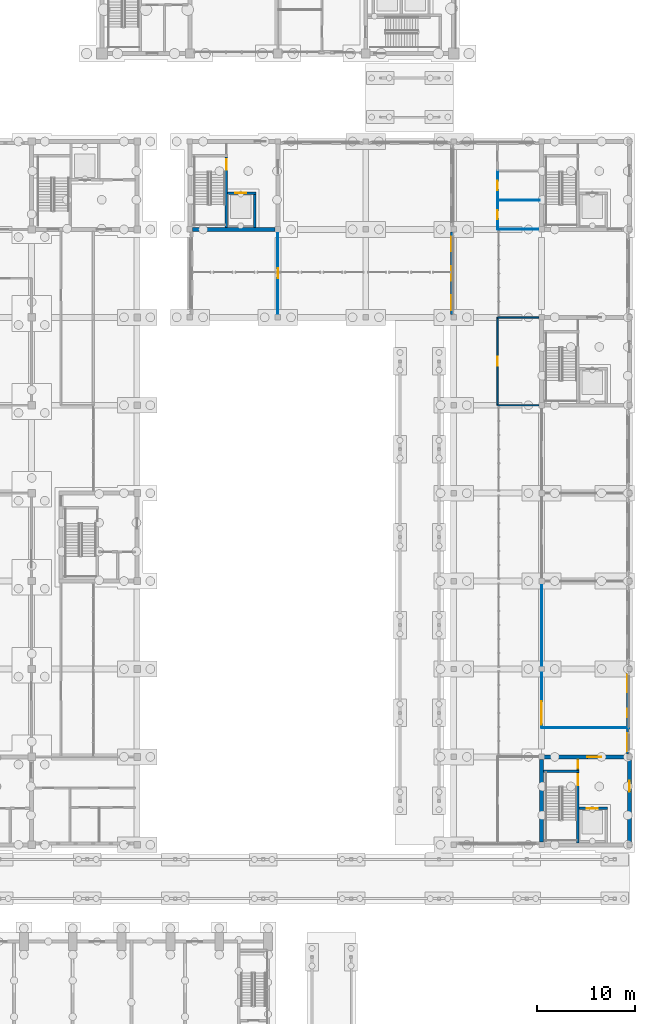
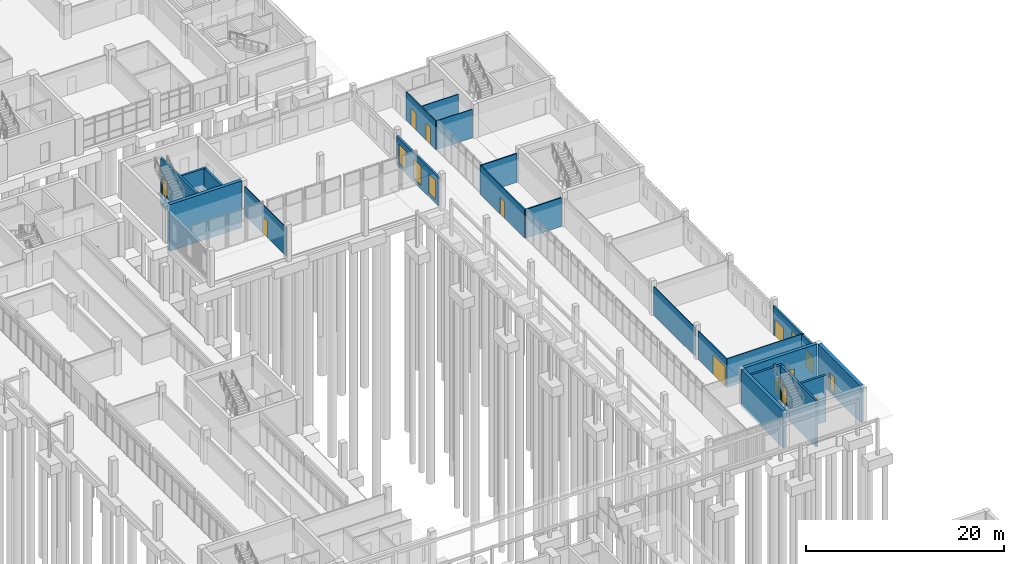
# One storey, part 74 of 106: 24 walls, 14 doors, 4 windows, 18 openings.
"""IFC4 building model written with IfcOpenShell, lengths in metres."""

from ifc_helpers import new_model, si_unit, direction, frame, frame_2d, origin, place, context, subcontext, project, spatial, rectangle, extrude, material, layer, layer_set, type_object, element, fill, save


model = new_model("IFC4")

# Units and contexts
model_context = context("Model", 3, precision=1e-05, world=origin(), true_north=direction((0.0, 1.0)))
body_context = subcontext(model_context, "Body", "Model", "MODEL_VIEW")
ifc_project = project(units=[si_unit("LENGTHUNIT", "METRE"), si_unit("AREAUNIT", "SQUARE_METRE"), si_unit("VOLUMEUNIT", "CUBIC_METRE"), si_unit("PLANEANGLEUNIT", "RADIAN"), si_unit("MASSUNIT", "GRAM", prefix="KILO")], contexts=[model_context])

# Site, building, storey
site_placement = place(None, origin())
site = spatial("IfcSite", under=ifc_project, at=site_placement, CompositionType="ELEMENT")
building_placement = place(site_placement, origin())
building = spatial("IfcBuilding", under=site, at=building_placement, Name="Merrow Basin Faculty of Sciences", CompositionType="ELEMENT")
storey_placement = place(building_placement, origin())
storey = spatial("IfcBuildingStorey", under=building, at=storey_placement, Name="L00", CompositionType="ELEMENT", Elevation=0.0)

# Wall, opening, door
ifc_material_1 = material(Name="Precast concrete C40/50", Category="concrete")
ifc_layer_1 = layer(ifc_material_1, 0.215087890625)
ifc_layer_set_1 = layer_set([ifc_layer_1], Name="External infill wall 215 Precast concrete C40/50")
wall_type_1 = type_object("IfcWallType", Name="External infill wall 215 Precast concrete C40/50", PredefinedType="STANDARD", material=ifc_layer_set_1)
wall_1_placement = place(storey_placement, frame((71.80810546875, 72.949951171875, 0.0), z_axis=(0.0, 0.0, 1.0), x_axis=(0.0, -1.0, 0.0)))
wall_1 = element("IfcWall", 1, at=wall_1_placement, inside=storey, type_object=wall_type_1, Name="E external wall 1", PredefinedType="STANDARD", context=body_context, shape_type="SweptSolid", body=[
    extrude(rectangle(XDim=2.675048828125, YDim=0.215087890625, at=frame_2d((1.33740234375, 0.0))), origin(), (0.0, 0.0, 1.0), 3.550048828125),
])
opening_1_placement = place(wall_1_placement, frame((0.550048828125, 0.0, 0.0)))
opening_1 = element("IfcOpeningElement", 2, at=opening_1_placement, cuts=wall_1, Name="Opening D00C026", PredefinedType="OPENING", context=body_context, shape_type="SweptSolid", body=[
    extrude(rectangle(XDim=1.800048828125, YDim=2.10009765625, at=frame_2d((0.89990234375, 1.050048828125))), frame((0.0, 0.117431640625, 0.0), z_axis=(0.0, -1.0, 0.0), x_axis=(1.0, 0.0, 0.0)), (0.0, 0.0, 1.0), 0.235107421875),
])
ifc_material_2 = material(Name="Glazed aluminium door", Category="aluminium")
door_type_1 = type_object("IfcDoorType", Name="Double swing door 1800 x 2100", OperationType="NOTDEFINED", PredefinedType="DOOR", material=ifc_material_2)
door_1_placement = place(opening_1_placement, origin())
door_1 = element("IfcDoor", 3, at=door_1_placement, inside=storey, type_object=door_type_1, Name="E entrance door", OperationType="DOUBLE_DOOR_SINGLE_SWING", OverallHeight=2.10009765625, OverallWidth=1.800048828125, PredefinedType="DOOR", context=body_context, shape_type="SweptSolid", body=[
    extrude(rectangle(XDim=1.800048828125, YDim=2.10009765625, at=frame_2d((0.89990234375, 1.050048828125))), frame((0.0, 0.02490234375, 0.0), z_axis=(0.0, -1.0, 0.0), x_axis=(1.0, 0.0, 0.0)), (0.0, 0.0, 1.0), 0.050048828125),
])
fill(opening_1, door_1)

# Wall, openings, window, door
wall_2_placement = place(storey_placement, frame((71.80810546875, 78.72509765625, 0.0), z_axis=(0.0, 0.0, 1.0), x_axis=(0.0, -1.0, 0.0)))
wall_2 = element("IfcWall", 4, at=wall_2_placement, inside=storey, type_object=wall_type_1, Name="E external wall 2", PredefinedType="STANDARD", context=body_context, shape_type="SweptSolid", body=[
    extrude(rectangle(XDim=5.675048828125, YDim=0.215087890625, at=frame_2d((2.83740234375, 0.0))), origin(), (0.0, 0.0, 1.0), 3.550048828125),
])
opening_2_placement = place(wall_2_placement, frame((3.77490234375, 0.0, 1.199951171875)))
opening_2 = element("IfcOpeningElement", 5, at=opening_2_placement, cuts=wall_2, Name="Opening WN16", PredefinedType="OPENING", context=body_context, shape_type="SweptSolid", body=[
    extrude(rectangle(XDim=0.89990234375, YDim=1.5, at=frame_2d((0.449951171875, 0.75))), frame((0.0, 0.117431640625, 0.0), z_axis=(0.0, -1.0, 0.0), x_axis=(1.0, 0.0, 0.0)), (0.0, 0.0, 1.0), 0.235107421875),
])
opening_3_placement = place(wall_2_placement, frame((0.324951171875, 0.0, 0.0)))
opening_3 = element("IfcOpeningElement", 6, at=opening_3_placement, cuts=wall_2, Name="Opening D00C027", PredefinedType="OPENING", context=body_context, shape_type="SweptSolid", body=[
    extrude(rectangle(XDim=1.800048828125, YDim=2.10009765625, at=frame_2d((0.89990234375, 1.050048828125))), frame((0.0, 0.117431640625, 0.0), z_axis=(0.0, -1.0, 0.0), x_axis=(1.0, 0.0, 0.0)), (0.0, 0.0, 1.0), 0.235107421875),
])
ifc_material_3 = material(Name="Low-E double glazing", Category="glass")
window_type_1 = type_object("IfcWindowType", Name="Boundary window 900 x 1500", PartitioningType="SINGLE_PANEL", PredefinedType="WINDOW", material=ifc_material_3)
window_1_placement = place(opening_2_placement, origin())
window_1 = element("IfcWindow", 7, at=window_1_placement, inside=storey, type_object=window_type_1, Name="E window L00", OverallHeight=1.5, OverallWidth=0.89990234375, PartitioningType="SINGLE_PANEL", PredefinedType="WINDOW", context=body_context, shape_type="SweptSolid", body=[
    extrude(rectangle(XDim=0.89990234375, YDim=1.5, at=frame_2d((0.449951171875, 0.75))), frame((0.0, 0.030029296875, 0.0), z_axis=(0.0, -1.0, 0.0), x_axis=(1.0, 0.0, 0.0)), (0.0, 0.0, 1.0), 0.06005859375),
])
fill(opening_2, window_1)
door_2_placement = place(opening_3_placement, origin())
door_2 = element("IfcDoor", 8, at=door_2_placement, inside=storey, type_object=door_type_1, Name="E entrance door", OperationType="DOUBLE_DOOR_SINGLE_SWING", OverallHeight=2.10009765625, OverallWidth=1.800048828125, PredefinedType="DOOR", context=body_context, shape_type="SweptSolid", body=[
    extrude(rectangle(XDim=1.800048828125, YDim=2.10009765625, at=frame_2d((0.89990234375, 1.050048828125))), frame((0.0, 0.02490234375, 0.0), z_axis=(0.0, -1.0, 0.0), x_axis=(1.0, 0.0, 0.0)), (0.0, 0.0, 1.0), 0.050048828125),
])
fill(opening_3, door_2)

# Wall, openings, windows
wall_3_placement = place(storey_placement, frame((53.806884765625, 123.72509765625, 0.0), z_axis=(0.0, 0.0, 1.0), x_axis=(0.0, -1.0, 0.0)))
wall_3 = element("IfcWall", 9, at=wall_3_placement, inside=storey, type_object=wall_type_1, Name="E external wall 1", PredefinedType="STANDARD", context=body_context, shape_type="SweptSolid", body=[
    extrude(rectangle(XDim=8.4501953125, YDim=0.215087890625, at=frame_2d((4.22509765625, 0.0))), origin(), (0.0, 0.0, 1.0), 3.550048828125),
])
opening_4_placement = place(wall_3_placement, frame((6.47509765625, 0.0, 0.449951171875)))
opening_4 = element("IfcOpeningElement", 10, at=opening_4_placement, cuts=wall_3, Name="Opening WN7", PredefinedType="OPENING", context=body_context, shape_type="SweptSolid", body=[
    extrude(rectangle(XDim=1.5, YDim=2.39990234375, at=frame_2d((0.75, 1.199951171875))), frame((0.0, 0.117431640625, 0.0), z_axis=(0.0, -1.0, 0.0), x_axis=(1.0, 0.0, 0.0)), (0.0, 0.0, 1.0), 0.235107421875),
])
opening_5_placement = place(wall_3_placement, frame((3.47509765625, 0.0, 0.449951171875)))
opening_5 = element("IfcOpeningElement", 11, at=opening_5_placement, cuts=wall_3, Name="Opening WN7", PredefinedType="OPENING", context=body_context, shape_type="SweptSolid", body=[
    extrude(rectangle(XDim=1.5, YDim=2.39990234375, at=frame_2d((0.75, 1.199951171875))), frame((0.0, 0.117431640625, 0.0), z_axis=(0.0, -1.0, 0.0), x_axis=(1.0, 0.0, 0.0)), (0.0, 0.0, 1.0), 0.235107421875),
])
opening_6_placement = place(wall_3_placement, frame((0.47509765625, 0.0, 0.449951171875)))
opening_6 = element("IfcOpeningElement", 12, at=opening_6_placement, cuts=wall_3, Name="Opening WN7", PredefinedType="OPENING", context=body_context, shape_type="SweptSolid", body=[
    extrude(rectangle(XDim=1.5, YDim=2.39990234375, at=frame_2d((0.75, 1.199951171875))), frame((0.0, 0.117431640625, 0.0), z_axis=(0.0, -1.0, 0.0), x_axis=(1.0, 0.0, 0.0)), (0.0, 0.0, 1.0), 0.235107421875),
])
ifc_material_4 = material(Name="Low-E double glazing", Category="glass")
window_type_2 = type_object("IfcWindowType", Name="Shopfront window 1500 x 2400", PartitioningType="SINGLE_PANEL", PredefinedType="WINDOW", material=ifc_material_4)
window_2_placement = place(opening_4_placement, origin())
window_2 = element("IfcWindow", 13, at=window_2_placement, inside=storey, type_object=window_type_2, Name="E window L00", OverallHeight=2.39990234375, OverallWidth=1.5, PartitioningType="SINGLE_PANEL", PredefinedType="WINDOW", context=body_context, shape_type="SweptSolid", body=[
    extrude(rectangle(XDim=1.5, YDim=2.39990234375, at=frame_2d((0.75, 1.199951171875))), frame((0.0, 0.030029296875, 0.0), z_axis=(0.0, -1.0, 0.0), x_axis=(1.0, 0.0, 0.0)), (0.0, 0.0, 1.0), 0.06005859375),
])
fill(opening_4, window_2)
window_3_placement = place(opening_5_placement, origin())
window_3 = element("IfcWindow", 14, at=window_3_placement, inside=storey, type_object=window_type_2, Name="E window L00", OverallHeight=2.39990234375, OverallWidth=1.5, PartitioningType="SINGLE_PANEL", PredefinedType="WINDOW", context=body_context, shape_type="SweptSolid", body=[
    extrude(rectangle(XDim=1.5, YDim=2.39990234375, at=frame_2d((0.75, 1.199951171875))), frame((0.0, 0.030029296875, 0.0), z_axis=(0.0, -1.0, 0.0), x_axis=(1.0, 0.0, 0.0)), (0.0, 0.0, 1.0), 0.06005859375),
])
fill(opening_5, window_3)
window_4_placement = place(opening_6_placement, origin())
window_4 = element("IfcWindow", 15, at=window_4_placement, inside=storey, type_object=window_type_2, Name="E window L00", OverallHeight=2.39990234375, OverallWidth=1.5, PartitioningType="SINGLE_PANEL", PredefinedType="WINDOW", context=body_context, shape_type="SweptSolid", body=[
    extrude(rectangle(XDim=1.5, YDim=2.39990234375, at=frame_2d((0.75, 1.199951171875))), frame((0.0, 0.030029296875, 0.0), z_axis=(0.0, -1.0, 0.0), x_axis=(1.0, 0.0, 0.0)), (0.0, 0.0, 1.0), 0.06005859375),
])
fill(opening_6, window_4)

# Wall
ifc_material_5 = material(Name="Gypsum board")
ifc_layer_2 = layer(ifc_material_5, 0.10009765625)
ifc_layer_set_2 = layer_set([ifc_layer_2], Name="Partition 100 gypsum board on steel studs")
wall_type_2 = type_object("IfcWallType", Name="Partition 100 gypsum board on steel studs", PredefinedType="PARTITIONING", material=ifc_layer_set_2)
wall_4_placement = place(storey_placement, frame((63.0, 79.27490234375, 0.0), z_axis=(0.0, 0.0, 1.0), x_axis=(0.0, 1.0, 0.0)))
element("IfcWall", 16, at=wall_4_placement, inside=storey, type_object=wall_type_2, Name="IW100 L00 014", PredefinedType="PARTITIONING", context=body_context, shape_type="SweptSolid", body=[
    extrude(rectangle(XDim=8.4501953125, YDim=0.10009765625, at=frame_2d((4.22509765625, 0.0))), origin(), (0.0, 0.0, 1.0), 3.550048828125),
])

# Wall, opening, door
wall_5_placement = place(storey_placement, frame((63.0, 73.0, 0.0), z_axis=(0.0, 0.0, 1.0), x_axis=(0.0, 1.0, 0.0)))
wall_5 = element("IfcWall", 17, at=wall_5_placement, inside=storey, type_object=wall_type_2, Name="IW100 L00 017", PredefinedType="PARTITIONING", context=body_context, shape_type="SweptSolid", body=[
    extrude(rectangle(XDim=5.72509765625, YDim=0.10009765625, at=frame_2d((2.862548828125, 0.0))), origin(), (0.0, 0.0, 1.0), 3.550048828125),
])
opening_7_placement = place(wall_5_placement, frame((0.300048828125, 0.0, 0.0)))
opening_7 = element("IfcOpeningElement", 18, at=opening_7_placement, cuts=wall_5, Name="Opening D00C020", PredefinedType="OPENING", context=body_context, shape_type="SweptSolid", body=[
    extrude(rectangle(XDim=2.39990234375, YDim=2.39990234375, at=frame_2d((1.199951171875, 1.199951171875))), frame((0.0, 0.06005859375, 0.0), z_axis=(0.0, -1.0, 0.0), x_axis=(1.0, 0.0, 0.0)), (0.0, 0.0, 1.0), 0.1201171875),
])
ifc_material_6 = material(Name="Glazed aluminium door", Category="aluminium")
door_type_2 = type_object("IfcDoorType", Name="Glazed double door 2400 x 2400", OperationType="NOTDEFINED", PredefinedType="DOOR", material=ifc_material_6)
door_3_placement = place(opening_7_placement, origin())
door_3 = element("IfcDoor", 19, at=door_3_placement, inside=storey, type_object=door_type_2, Name="Door D00C020", OperationType="DOUBLE_DOOR_SINGLE_SWING", OverallHeight=2.39990234375, OverallWidth=2.39990234375, PredefinedType="DOOR", context=body_context, shape_type="SweptSolid", body=[
    extrude(rectangle(XDim=2.39990234375, YDim=2.39990234375, at=frame_2d((1.199951171875, 1.199951171875))), frame((0.0, 0.02490234375, 0.0), z_axis=(0.0, -1.0, 0.0), x_axis=(1.0, 0.0, 0.0)), (0.0, 0.0, 1.0), 0.050048828125),
])
fill(opening_7, door_3)

# Wall
wall_6_placement = place(storey_placement, frame((63.0, 73.0, 0.0), z_axis=(0.0, 0.0, 1.0), x_axis=(1.0, 0.0, 0.0)))
element("IfcWall", 20, at=wall_6_placement, inside=storey, type_object=wall_type_2, Name="IW100 L00 019", PredefinedType="PARTITIONING", context=body_context, shape_type="SweptSolid", body=[
    extrude(rectangle(XDim=9.0, YDim=0.10009765625, at=frame_2d((4.5, 0.0))), origin(), (0.0, 0.0, 1.0), 3.550048828125),
])

# Wall, opening, door
wall_7_placement = place(storey_placement, frame((36.0, 115.27490234375, 0.0), z_axis=(0.0, 0.0, 1.0), x_axis=(0.0, 1.0, 0.0)))
wall_7 = element("IfcWall", 21, at=wall_7_placement, inside=storey, type_object=wall_type_2, Name="IW100 L00 022", PredefinedType="PARTITIONING", context=body_context, shape_type="SweptSolid", body=[
    extrude(rectangle(XDim=8.4501953125, YDim=0.10009765625, at=frame_2d((4.22509765625, 0.0))), origin(), (0.0, 0.0, 1.0), 3.550048828125),
])
opening_8_placement = place(wall_7_placement, frame((3.72509765625, 0.0, 0.0)))
opening_8 = element("IfcOpeningElement", 22, at=opening_8_placement, cuts=wall_7, Name="Opening D00C017", PredefinedType="OPENING", context=body_context, shape_type="SweptSolid", body=[
    extrude(rectangle(XDim=1.0, YDim=2.10009765625, at=frame_2d((0.5, 1.050048828125))), frame((0.0, 0.06005859375, 0.0), z_axis=(0.0, -1.0, 0.0), x_axis=(1.0, 0.0, 0.0)), (0.0, 0.0, 1.0), 0.1201171875),
])
ifc_material_7 = material(Name="Timber door leaf", Category="wood")
door_type_3 = type_object("IfcDoorType", Name="Single swing door 1000 x 2100", OperationType="NOTDEFINED", PredefinedType="DOOR", material=ifc_material_7)
door_4_placement = place(opening_8_placement, origin())
door_4 = element("IfcDoor", 23, at=door_4_placement, inside=storey, type_object=door_type_3, Name="Door D00C017", OperationType="SINGLE_SWING_LEFT", OverallHeight=2.10009765625, OverallWidth=1.0, PredefinedType="DOOR", context=body_context, shape_type="SweptSolid", body=[
    extrude(rectangle(XDim=1.0, YDim=2.10009765625, at=frame_2d((0.5, 1.050048828125))), frame((0.0, 0.02490234375, 0.0), z_axis=(0.0, -1.0, 0.0), x_axis=(1.0, 0.0, 0.0)), (0.0, 0.0, 1.0), 0.050048828125),
])
fill(opening_8, door_4)

# Wall, openings, doors
ifc_material_8 = material(Name="Moisture-resistant gypsum board")
ifc_layer_3 = layer(ifc_material_8, 0.10009765625)
ifc_layer_set_3 = layer_set([ifc_layer_3], Name="Partition 100 moisture-resistant board on steel studs")
wall_type_3 = type_object("IfcWallType", Name="Partition 100 moisture-resistant board on steel studs", PredefinedType="PARTITIONING", material=ifc_layer_set_3)
wall_8_placement = place(storey_placement, frame((58.5, 124.0, 0.0), z_axis=(0.0, 0.0, 1.0), x_axis=(0.0, 1.0, 0.0)))
wall_8 = element("IfcWall", 24, at=wall_8_placement, inside=storey, type_object=wall_type_3, Name="IW101 L00 010", PredefinedType="PARTITIONING", context=body_context, shape_type="SweptSolid", body=[
    extrude(rectangle(XDim=6.0, YDim=0.10009765625, at=frame_2d((3.0, 0.0))), origin(), (0.0, 0.0, 1.0), 3.550048828125),
])
opening_9_placement = place(wall_8_placement, frame((1.050048828125, 0.0, 0.0)))
opening_9 = element("IfcOpeningElement", 25, at=opening_9_placement, cuts=wall_8, Name="Opening D00C023", PredefinedType="OPENING", context=body_context, shape_type="SweptSolid", body=[
    extrude(rectangle(XDim=0.89990234375, YDim=2.10009765625, at=frame_2d((0.449951171875, 1.050048828125))), frame((0.0, 0.06005859375, 0.0), z_axis=(0.0, -1.0, 0.0), x_axis=(1.0, 0.0, 0.0)), (0.0, 0.0, 1.0), 0.1201171875),
])
opening_10_placement = place(wall_8_placement, frame((4.0, 0.0, 0.0)))
opening_10 = element("IfcOpeningElement", 26, at=opening_10_placement, cuts=wall_8, Name="Opening D00C024", PredefinedType="OPENING", context=body_context, shape_type="SweptSolid", body=[
    extrude(rectangle(XDim=1.0, YDim=2.10009765625, at=frame_2d((0.5, 1.050048828125))), frame((0.0, 0.06005859375, 0.0), z_axis=(0.0, -1.0, 0.0), x_axis=(1.0, 0.0, 0.0)), (0.0, 0.0, 1.0), 0.1201171875),
])
ifc_material_9 = material(Name="Timber door leaf", Category="wood")
door_type_4 = type_object("IfcDoorType", Name="Accessible door 1000 x 2100", OperationType="NOTDEFINED", PredefinedType="DOOR", material=ifc_material_9)
door_5_placement = place(opening_10_placement, origin())
door_5 = element("IfcDoor", 27, at=door_5_placement, inside=storey, type_object=door_type_4, Name="Door D00C024", OperationType="SINGLE_SWING_LEFT", OverallHeight=2.10009765625, OverallWidth=1.0, PredefinedType="DOOR", context=body_context, shape_type="SweptSolid", body=[
    extrude(rectangle(XDim=1.0, YDim=2.10009765625, at=frame_2d((0.5, 1.050048828125))), frame((0.0, 0.02490234375, 0.0), z_axis=(0.0, -1.0, 0.0), x_axis=(1.0, 0.0, 0.0)), (0.0, 0.0, 1.0), 0.050048828125),
])
fill(opening_10, door_5)
ifc_material_10 = material(Name="Timber door leaf", Category="wood")
door_type_5 = type_object("IfcDoorType", Name="Single swing door 900 x 2100", OperationType="NOTDEFINED", PredefinedType="DOOR", material=ifc_material_10)
door_6_placement = place(opening_9_placement, origin())
door_6 = element("IfcDoor", 28, at=door_6_placement, inside=storey, type_object=door_type_5, Name="Door D00C023", OperationType="SINGLE_SWING_LEFT", OverallHeight=2.10009765625, OverallWidth=0.89990234375, PredefinedType="DOOR", context=body_context, shape_type="SweptSolid", body=[
    extrude(rectangle(XDim=0.89990234375, YDim=2.10009765625, at=frame_2d((0.449951171875, 1.050048828125))), frame((0.0, 0.02490234375, 0.0), z_axis=(0.0, -1.0, 0.0), x_axis=(1.0, 0.0, 0.0)), (0.0, 0.0, 1.0), 0.050048828125),
])
fill(opening_9, door_6)

# Walls
wall_9_placement = place(storey_placement, frame((58.5, 124.0, 0.0), z_axis=(0.0, 0.0, 1.0), x_axis=(1.0, 0.0, 0.0)))
element("IfcWall", 29, at=wall_9_placement, inside=storey, type_object=wall_type_3, Name="IW101 L00 011", PredefinedType="PARTITIONING", context=body_context, shape_type="SweptSolid", body=[
    extrude(rectangle(XDim=4.22509765625, YDim=0.10009765625, at=frame_2d((2.112548828125, 0.0))), origin(), (0.0, 0.0, 1.0), 3.550048828125),
])
wall_10_placement = place(storey_placement, frame((58.550048828125, 127.0, 0.0), z_axis=(0.0, 0.0, 1.0), x_axis=(1.0, 0.0, 0.0)))
element("IfcWall", 30, at=wall_10_placement, inside=storey, type_object=wall_type_3, Name="IW101 L00 012", PredefinedType="PARTITIONING", context=body_context, shape_type="SweptSolid", body=[
    extrude(rectangle(XDim=4.25, YDim=0.10009765625, at=frame_2d((2.125, 0.0))), origin(), (0.0, 0.0, 1.0), 3.550048828125),
])

# Wall, opening, door
ifc_material_11 = material(Name="Fire-rated gypsum board")
ifc_layer_4 = layer(ifc_material_11, 0.199951171875)
ifc_layer_set_4 = layer_set([ifc_layer_4], Name="Riser lining 200 fire-rated board on steel studs")
wall_type_4 = type_object("IfcWallType", Name="Riser lining 200 fire-rated board on steel studs", PredefinedType="PARTITIONING", material=ifc_layer_set_4)
wall_11_placement = place(storey_placement, frame((66.72509765625, 68.64990234375, 0.0), z_axis=(0.0, 0.0, 1.0), x_axis=(0.0, 1.0, 0.0)))
wall_11 = element("IfcWall", 31, at=wall_11_placement, inside=storey, type_object=wall_type_4, Name="IW200 L00 002", PredefinedType="PARTITIONING", context=body_context, shape_type="SweptSolid", body=[
    extrude(rectangle(XDim=1.150146484375, YDim=0.199951171875, at=frame_2d((0.5751953125, 0.0))), origin(), (0.0, 0.0, 1.0), 3.550048828125),
])
opening_11_placement = place(wall_11_placement, frame((0.14990234375, 0.0, 0.0)))
opening_11 = element("IfcOpeningElement", 32, at=opening_11_placement, cuts=wall_11, Name="Opening D00C004", PredefinedType="OPENING", context=body_context, shape_type="SweptSolid", body=[
    extrude(rectangle(XDim=0.89990234375, YDim=2.10009765625, at=frame_2d((0.449951171875, 1.050048828125))), frame((0.0, 0.10986328125, 0.0), z_axis=(0.0, -1.0, 0.0), x_axis=(1.0, 0.0, 0.0)), (0.0, 0.0, 1.0), 0.219970703125),
])
ifc_material_12 = material(Name="Fire-rated steel door", Category="steel")
door_type_6 = type_object("IfcDoorType", Name="Fire door FD60 900 x 2100", OperationType="NOTDEFINED", PredefinedType="DOOR", material=ifc_material_12)
door_7_placement = place(opening_11_placement, origin())
door_7 = element("IfcDoor", 33, at=door_7_placement, inside=storey, type_object=door_type_6, Name="Door D00C004", OperationType="SINGLE_SWING_LEFT", OverallHeight=2.10009765625, OverallWidth=0.89990234375, PredefinedType="DOOR", context=body_context, shape_type="SweptSolid", body=[
    extrude(rectangle(XDim=0.89990234375, YDim=2.10009765625, at=frame_2d((0.449951171875, 1.050048828125))), frame((0.0, 0.02490234375, 0.0), z_axis=(0.0, -1.0, 0.0), x_axis=(1.0, 0.0, 0.0)), (0.0, 0.0, 1.0), 0.050048828125),
])
fill(opening_11, door_7)

ifc_material_13 = material(Name="Concrete C40/50", Category="concrete")
ifc_layer_5 = layer(ifc_material_13, 0.25)
ifc_layer_set_5 = layer_set([ifc_layer_5], Name="Shear wall 250 Concrete C40/50")
wall_type_5 = type_object("IfcWallType", Name="Shear wall 250 Concrete C40/50", PredefinedType="SHEAR", material=ifc_layer_set_5)
wall_12_placement = place(storey_placement, frame((30.72509765625, 124.199951171875, -1.5), z_axis=(0.0, 0.0, 1.0), x_axis=(0.0, 1.0, 0.0)))
wall_12 = element("IfcWall", 34, at=wall_12_placement, inside=storey, type_object=wall_type_5, Name="SW2 L00 006", PredefinedType="SHEAR", context=body_context, shape_type="SweptSolid", body=[
    extrude(rectangle(XDim=7.199951171875, YDim=0.25, at=frame_2d((3.60009765625, 0.0))), origin(), (0.0, 0.0, 1.0), 5.75),
])
opening_12_placement = place(wall_12_placement, frame((5.89990234375, 0.0, 1.5)))
opening_12 = element("IfcOpeningElement", 35, at=opening_12_placement, cuts=wall_12, Name="Opening D00C013", PredefinedType="OPENING", context=body_context, shape_type="SweptSolid", body=[
    extrude(rectangle(XDim=1.10009765625, YDim=2.10009765625, at=frame_2d((0.550048828125, 1.050048828125))), frame((0.0, 0.135009765625, 0.0), z_axis=(0.0, -1.0, 0.0), x_axis=(1.0, 0.0, 0.0)), (0.0, 0.0, 1.0), 0.27001953125),
])
ifc_material_14 = material(Name="Fire-rated steel door", Category="steel")
door_type_7 = type_object("IfcDoorType", Name="Fire door FD90 1100 x 2100", OperationType="NOTDEFINED", PredefinedType="DOOR", material=ifc_material_14)
door_8_placement = place(opening_12_placement, origin())
door_8 = element("IfcDoor", 36, at=door_8_placement, inside=storey, type_object=door_type_7, Name="Door D00C013", OperationType="SINGLE_SWING_RIGHT", OverallHeight=2.10009765625, OverallWidth=1.10009765625, PredefinedType="DOOR", context=body_context, shape_type="SweptSolid", body=[
    extrude(rectangle(XDim=1.10009765625, YDim=2.10009765625, at=frame_2d((0.550048828125, 1.050048828125))), frame((0.0, 0.02490234375, 0.0), z_axis=(0.0, -1.0, 0.0), x_axis=(1.0, 0.0, 0.0)), (0.0, 0.0, 1.0), 0.050048828125),
])
fill(opening_12, door_8)

wall_13_placement = place(storey_placement, frame((30.85009765625, 127.72509765625, -1.5), z_axis=(0.0, 0.0, 1.0), x_axis=(1.0, 0.0, 0.0)))
wall_13 = element("IfcWall", 37, at=wall_13_placement, inside=storey, type_object=wall_type_5, Name="SW2 L00 007", PredefinedType="SHEAR", context=body_context, shape_type="SweptSolid", body=[
    extrude(rectangle(XDim=2.89990234375, YDim=0.25, at=frame_2d((1.449951171875, 0.0))), origin(), (0.0, 0.0, 1.0), 5.75),
])
opening_13_placement = place(wall_13_placement, frame((0.800048828125, 0.0, 1.5)))
opening_13 = element("IfcOpeningElement", 38, at=opening_13_placement, cuts=wall_13, Name="Opening LD00C01", PredefinedType="OPENING", context=body_context, shape_type="SweptSolid", body=[
    extrude(rectangle(XDim=1.10009765625, YDim=2.10009765625, at=frame_2d((0.550048828125, 1.050048828125))), frame((0.0, 0.135009765625, 0.0), z_axis=(0.0, -1.0, 0.0), x_axis=(1.0, 0.0, 0.0)), (0.0, 0.0, 1.0), 0.27001953125),
])
ifc_material_15 = material(Name="Stainless steel sliding door", Category="steel")
door_type_8 = type_object("IfcDoorType", Name="Lift landing door 1100 x 2100 sliding", OperationType="NOTDEFINED", PredefinedType="DOOR", material=ifc_material_15)
door_9_placement = place(opening_13_placement, origin())
door_9 = element("IfcDoor", 39, at=door_9_placement, inside=storey, type_object=door_type_8, Name="Landing door LF5 L00", OperationType="SLIDING_TO_LEFT", OverallHeight=2.10009765625, OverallWidth=1.10009765625, PredefinedType="DOOR", context=body_context, shape_type="SweptSolid", body=[
    extrude(rectangle(XDim=1.10009765625, YDim=2.10009765625, at=frame_2d((0.550048828125, 1.050048828125))), frame((0.0, 0.02490234375, 0.0), z_axis=(0.0, -1.0, 0.0), x_axis=(1.0, 0.0, 0.0)), (0.0, 0.0, 1.0), 0.050048828125),
])
fill(opening_13, door_9)

# Walls
wall_14_placement = place(storey_placement, frame((33.625, 124.199951171875, -1.5), z_axis=(0.0, 0.0, 1.0), x_axis=(0.0, 1.0, 0.0)))
element("IfcWall", 40, at=wall_14_placement, inside=storey, type_object=wall_type_5, Name="SW2 L00 008", PredefinedType="SHEAR", context=body_context, shape_type="SweptSolid", body=[
    extrude(rectangle(XDim=3.400146484375, YDim=0.25, at=frame_2d((1.7001953125, 0.0))), origin(), (0.0, 0.0, 1.0), 5.75),
])
wall_15_placement = place(storey_placement, frame((63.199951171875, 68.52490234375, -0.300048828125), z_axis=(0.0, 0.0, 1.0), x_axis=(1.0, 0.0, 0.0)))
element("IfcWall", 41, at=wall_15_placement, inside=storey, type_object=wall_type_5, Name="SW2 L00 013", PredefinedType="SHEAR", context=body_context, shape_type="SweptSolid", body=[
    extrude(rectangle(XDim=3.650146484375, YDim=0.25, at=frame_2d((1.8251953125, 0.0))), origin(), (0.0, 0.0, 1.0), 4.550048828125),
])

# Wall, opening, door
wall_16_placement = place(storey_placement, frame((66.72509765625, 61.199951171875, -1.5), z_axis=(0.0, 0.0, 1.0), x_axis=(0.0, 1.0, 0.0)))
wall_16 = element("IfcWall", 42, at=wall_16_placement, inside=storey, type_object=wall_type_5, Name="SW2 L00 014", PredefinedType="SHEAR", context=body_context, shape_type="SweptSolid", body=[
    extrude(rectangle(XDim=7.199951171875, YDim=0.25, at=frame_2d((3.60009765625, 0.0))), origin(), (0.0, 0.0, 1.0), 5.75),
])
opening_14_placement = place(wall_16_placement, frame((5.89990234375, 0.0, 1.5)))
opening_14 = element("IfcOpeningElement", 43, at=opening_14_placement, cuts=wall_16, Name="Opening D00C001", PredefinedType="OPENING", context=body_context, shape_type="SweptSolid", body=[
    extrude(rectangle(XDim=1.10009765625, YDim=2.10009765625, at=frame_2d((0.550048828125, 1.050048828125))), frame((0.0, 0.135009765625, 0.0), z_axis=(0.0, -1.0, 0.0), x_axis=(1.0, 0.0, 0.0)), (0.0, 0.0, 1.0), 0.27001953125),
])
door_10_placement = place(opening_14_placement, origin())
door_10 = element("IfcDoor", 44, at=door_10_placement, inside=storey, type_object=door_type_7, Name="Door D00C001", OperationType="SINGLE_SWING_RIGHT", OverallHeight=2.10009765625, OverallWidth=1.10009765625, PredefinedType="DOOR", context=body_context, shape_type="SweptSolid", body=[
    extrude(rectangle(XDim=1.10009765625, YDim=2.10009765625, at=frame_2d((0.550048828125, 1.050048828125))), frame((0.0, 0.02490234375, 0.0), z_axis=(0.0, -1.0, 0.0), x_axis=(1.0, 0.0, 0.0)), (0.0, 0.0, 1.0), 0.050048828125),
])
fill(opening_14, door_10)

wall_17_placement = place(storey_placement, frame((66.85009765625, 64.72509765625, -1.5), z_axis=(0.0, 0.0, 1.0), x_axis=(1.0, 0.0, 0.0)))
wall_17 = element("IfcWall", 45, at=wall_17_placement, inside=storey, type_object=wall_type_5, Name="SW2 L00 015", PredefinedType="SHEAR", context=body_context, shape_type="SweptSolid", body=[
    extrude(rectangle(XDim=2.89990234375, YDim=0.25, at=frame_2d((1.449951171875, 0.0))), origin(), (0.0, 0.0, 1.0), 5.75),
])
opening_15_placement = place(wall_17_placement, frame((0.800048828125, 0.0, 1.5)))
opening_15 = element("IfcOpeningElement", 46, at=opening_15_placement, cuts=wall_17, Name="Opening LD00C02", PredefinedType="OPENING", context=body_context, shape_type="SweptSolid", body=[
    extrude(rectangle(XDim=1.10009765625, YDim=2.10009765625, at=frame_2d((0.550048828125, 1.050048828125))), frame((0.0, 0.135009765625, 0.0), z_axis=(0.0, -1.0, 0.0), x_axis=(1.0, 0.0, 0.0)), (0.0, 0.0, 1.0), 0.27001953125),
])
door_11_placement = place(opening_15_placement, origin())
door_11 = element("IfcDoor", 47, at=door_11_placement, inside=storey, type_object=door_type_8, Name="Landing door LF6 L00", OperationType="SLIDING_TO_LEFT", OverallHeight=2.10009765625, OverallWidth=1.10009765625, PredefinedType="DOOR", context=body_context, shape_type="SweptSolid", body=[
    extrude(rectangle(XDim=1.10009765625, YDim=2.10009765625, at=frame_2d((0.550048828125, 1.050048828125))), frame((0.0, 0.02490234375, 0.0), z_axis=(0.0, -1.0, 0.0), x_axis=(1.0, 0.0, 0.0)), (0.0, 0.0, 1.0), 0.050048828125),
])
fill(opening_15, door_11)

# Wall
ifc_material_16 = material(Name="Concrete C40/50", Category="concrete")
ifc_layer_6 = layer(ifc_material_16, 0.39990234375)
ifc_layer_set_6 = layer_set([ifc_layer_6], Name="Shear wall 400 Concrete C40/50")
wall_type_6 = type_object("IfcWallType", Name="Shear wall 400 Concrete C40/50", PredefinedType="SHEAR", material=ifc_layer_set_6)
wall_18_placement = place(storey_placement, frame((27.27490234375, 124.0, -1.5), z_axis=(0.0, 0.0, 1.0), x_axis=(1.0, 0.0, 0.0)))
element("IfcWall", 48, at=wall_18_placement, inside=storey, type_object=wall_type_6, Name="SW1 L00 001", PredefinedType="SHEAR", context=body_context, shape_type="SweptSolid", body=[
    extrude(rectangle(XDim=8.4501953125, YDim=0.39990234375, at=frame_2d((4.22509765625, 0.0))), origin(), (0.0, 0.0, 1.0), 5.75),
])

# Wall, opening, door
wall_19_placement = place(storey_placement, frame((63.27490234375, 70.0, -0.300048828125), z_axis=(0.0, 0.0, 1.0), x_axis=(1.0, 0.0, 0.0)))
wall_19 = element("IfcWall", 49, at=wall_19_placement, inside=storey, type_object=wall_type_6, Name="SW1 L00 010", PredefinedType="SHEAR", context=body_context, shape_type="SweptSolid", body=[
    extrude(rectangle(XDim=8.4501953125, YDim=0.39990234375, at=frame_2d((4.22509765625, 0.0))), origin(), (0.0, 0.0, 1.0), 4.550048828125),
])
opening_16_placement = place(wall_19_placement, frame((4.425048828125, 0.0, 0.300048828125)))
opening_16 = element("IfcOpeningElement", 50, at=opening_16_placement, cuts=wall_19, Name="Opening D00C002", PredefinedType="OPENING", context=body_context, shape_type="SweptSolid", body=[
    extrude(rectangle(XDim=1.39990234375, YDim=2.10009765625, at=frame_2d((0.699951171875, 1.050048828125))), frame((0.0, 0.2099609375, 0.0), z_axis=(0.0, -1.0, 0.0), x_axis=(1.0, 0.0, 0.0)), (0.0, 0.0, 1.0), 0.419921875),
])
ifc_material_17 = material(Name="Fire-rated steel door", Category="steel")
door_type_9 = type_object("IfcDoorType", Name="Fire door FD60 1400 x 2100", OperationType="NOTDEFINED", PredefinedType="DOOR", material=ifc_material_17)
door_12_placement = place(opening_16_placement, origin())
door_12 = element("IfcDoor", 51, at=door_12_placement, inside=storey, type_object=door_type_9, Name="Door D00C002", OperationType="SINGLE_SWING_RIGHT", OverallHeight=2.10009765625, OverallWidth=1.39990234375, PredefinedType="DOOR", context=body_context, shape_type="SweptSolid", body=[
    extrude(rectangle(XDim=1.39990234375, YDim=2.10009765625, at=frame_2d((0.699951171875, 1.050048828125))), frame((0.0, 0.02490234375, 0.0), z_axis=(0.0, -1.0, 0.0), x_axis=(1.0, 0.0, 0.0)), (0.0, 0.0, 1.0), 0.050048828125),
])
fill(opening_16, door_12)

# Wall
wall_20_placement = place(storey_placement, frame((63.0, 61.27490234375, -0.300048828125), z_axis=(0.0, 0.0, 1.0), x_axis=(0.0, 1.0, 0.0)))
element("IfcWall", 52, at=wall_20_placement, inside=storey, type_object=wall_type_6, Name="SW1 L00 011", PredefinedType="SHEAR", context=body_context, shape_type="SweptSolid", body=[
    extrude(rectangle(XDim=8.4501953125, YDim=0.39990234375, at=frame_2d((4.22509765625, 0.0))), origin(), (0.0, 0.0, 1.0), 4.550048828125),
])

# Wall, opening, door
wall_21_placement = place(storey_placement, frame((72.0, 61.27490234375, -0.300048828125), z_axis=(0.0, 0.0, 1.0), x_axis=(0.0, 1.0, 0.0)))
wall_21 = element("IfcWall", 53, at=wall_21_placement, inside=storey, type_object=wall_type_6, Name="SW1 L00 012", PredefinedType="SHEAR", context=body_context, shape_type="SweptSolid", body=[
    extrude(rectangle(XDim=8.4501953125, YDim=0.39990234375, at=frame_2d((4.22509765625, 0.0))), origin(), (0.0, 0.0, 1.0), 4.550048828125),
])
opening_17_placement = place(wall_21_placement, frame((5.175048828125, 0.0, 0.300048828125)))
opening_17 = element("IfcOpeningElement", 54, at=opening_17_placement, cuts=wall_21, Name="Opening D00C003", PredefinedType="OPENING", context=body_context, shape_type="SweptSolid", body=[
    extrude(rectangle(XDim=1.10009765625, YDim=2.10009765625, at=frame_2d((0.550048828125, 1.050048828125))), frame((0.0, 0.2099609375, 0.0), z_axis=(0.0, -1.0, 0.0), x_axis=(1.0, 0.0, 0.0)), (0.0, 0.0, 1.0), 0.419921875),
])
door_13_placement = place(opening_17_placement, frame((1.10009765625, 0.0, 0.0), z_axis=(0.0, 0.0, 1.0), x_axis=(-1.0, 0.0, 0.0)))
door_13 = element("IfcDoor", 55, at=door_13_placement, inside=storey, type_object=door_type_7, Name="Core S exit door", OperationType="SINGLE_SWING_LEFT", OverallHeight=2.10009765625, OverallWidth=1.10009765625, PredefinedType="DOOR", context=body_context, shape_type="SweptSolid", body=[
    extrude(rectangle(XDim=1.10009765625, YDim=2.10009765625, at=frame_2d((0.550048828125, 1.050048828125))), frame((0.0, 0.02490234375, 0.0), z_axis=(0.0, -1.0, 0.0), x_axis=(1.0, 0.0, 0.0)), (0.0, 0.0, 1.0), 0.050048828125),
])
fill(opening_17, door_13)

ifc_material_18 = material(Name="Fire-rated gypsum board")
ifc_layer_7 = layer(ifc_material_18, 0.14990234375)
ifc_layer_set_7 = layer_set([ifc_layer_7], Name="Store partition 150 fire-rated board on steel studs")
wall_type_7 = type_object("IfcWallType", Name="Store partition 150 fire-rated board on steel studs", PredefinedType="PARTITIONING", material=ifc_layer_set_7)
wall_22_placement = place(storey_placement, frame((58.5, 106.0, 0.0), z_axis=(0.0, 0.0, 1.0), x_axis=(0.0, 1.0, 0.0)))
wall_22 = element("IfcWall", 56, at=wall_22_placement, inside=storey, type_object=wall_type_7, Name="IW152 L00 005", PredefinedType="PARTITIONING", context=body_context, shape_type="SweptSolid", body=[
    extrude(rectangle(XDim=9.0, YDim=0.14990234375, at=frame_2d((4.5, 0.0))), origin(), (0.0, 0.0, 1.0), 3.550048828125),
])
opening_18_placement = place(wall_22_placement, frame((4.050048828125, 0.0, 0.0)))
opening_18 = element("IfcOpeningElement", 57, at=opening_18_placement, cuts=wall_22, Name="Opening D00C019", PredefinedType="OPENING", context=body_context, shape_type="SweptSolid", body=[
    extrude(rectangle(XDim=0.89990234375, YDim=2.10009765625, at=frame_2d((0.449951171875, 1.050048828125))), frame((0.0, 0.0849609375, 0.0), z_axis=(0.0, -1.0, 0.0), x_axis=(1.0, 0.0, 0.0)), (0.0, 0.0, 1.0), 0.169921875),
])
door_14_placement = place(opening_18_placement, origin())
door_14 = element("IfcDoor", 58, at=door_14_placement, inside=storey, type_object=door_type_6, Name="Door D00C019", OperationType="SINGLE_SWING_LEFT", OverallHeight=2.10009765625, OverallWidth=0.89990234375, PredefinedType="DOOR", context=body_context, shape_type="SweptSolid", body=[
    extrude(rectangle(XDim=0.89990234375, YDim=2.10009765625, at=frame_2d((0.449951171875, 1.050048828125))), frame((0.0, 0.02490234375, 0.0), z_axis=(0.0, -1.0, 0.0), x_axis=(1.0, 0.0, 0.0)), (0.0, 0.0, 1.0), 0.050048828125),
])
fill(opening_18, door_14)

# Walls
for number, where, z_axis, x_axis, name in (
    (59, (58.5, 106.0, 0.0), (0.0, 0.0, 1.0), (1.0, 0.0, 0.0), "IW152 L00 007"),
    (60, (58.5, 115.0, 0.0), (0.0, 0.0, 1.0), (1.0, 0.0, 0.0), "IW152 L00 008"),
):
    element("IfcWall", number, at=place(storey_placement, frame(where, z_axis=z_axis, x_axis=x_axis)), inside=storey, type_object=wall_type_7, Name=name, PredefinedType="PARTITIONING", context=body_context, shape_type="SweptSolid", body=[
        extrude(rectangle(XDim=4.22509765625, YDim=0.14990234375, at=frame_2d((2.112548828125, 0.0))), origin(), (0.0, 0.0, 1.0), 3.550048828125),
    ])

save(model, "model.ifc")
